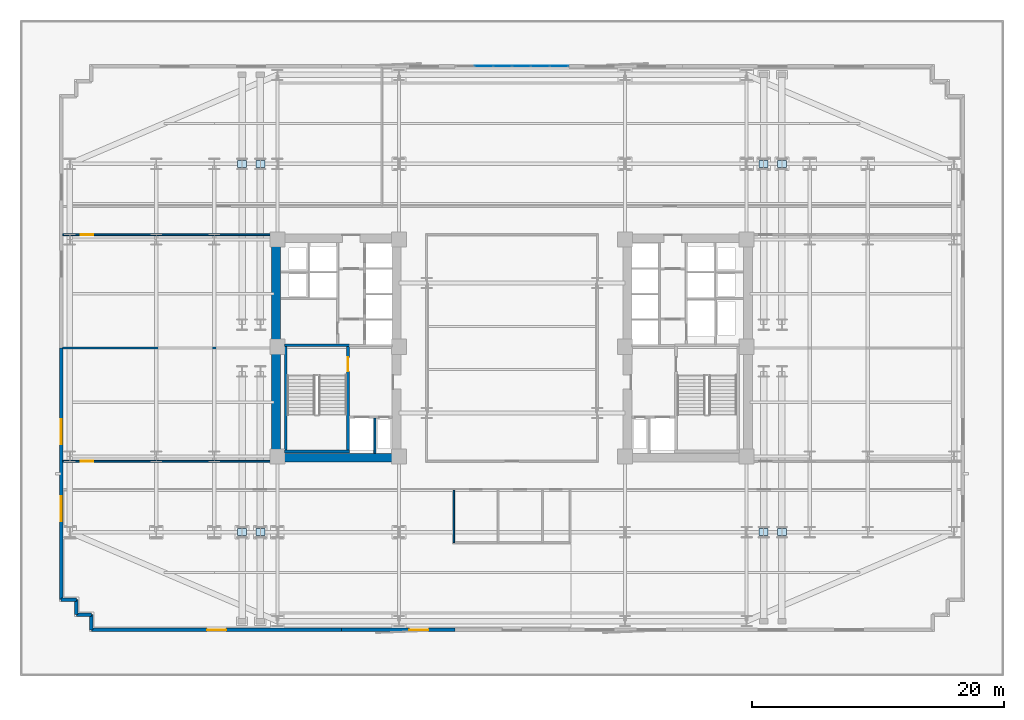
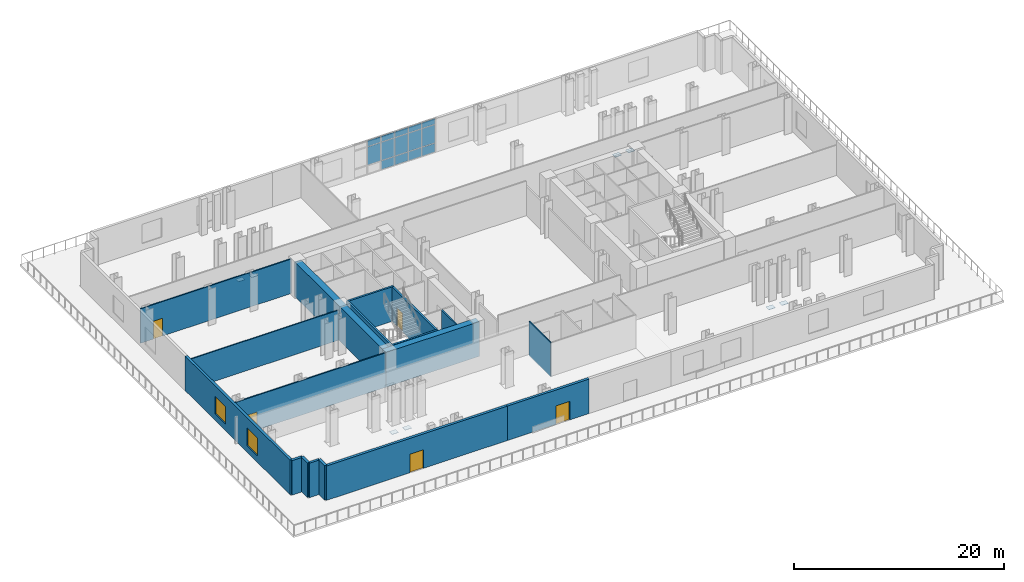
# One storey, part 5 of 14: 22 plates, 18 walls, 5 doors, 2 windows, 7 openings, 1 element without a shape of its own.
"""IFC4 building model written with IfcOpenShell, lengths in metres."""

import ifcopenshell
import ifcopenshell.guid

model = None  # the IFC model being written
_history = None  # IfcOwnerHistory: only IFC2X3 demands one
_inside = {}  # id of a spatial element -> (the spatial element, [elements in it])
_under = {}  # id of a project, library or spatial element -> (it, [spatial elements below it])
_declared = {}  # id of a project -> (the project, [libraries it declares])
_typed = {}  # id of a type object -> (the type object, [elements of that type])
_made_of = {}  # id of a material, layer set ... -> (it, [elements and type objects made of it])


def new_model(schema):
    """Start an empty IFC model of exactly this schema.

    Asked for "IFC4X3", IfcOpenShell would pick the latest addendum, in which some entities
    have other attributes; the version numbers below select the first issue.
    IFC2X3 requires an IfcOwnerHistory on every rooted entity: one is made here for all.
    """
    global model, _history
    if schema == "IFC4X3":
        model = ifcopenshell.file(schema_version=(4, 3, 0, 0))
    else:
        model = ifcopenshell.file(schema=schema)
    _inside.clear()
    _under.clear()
    _declared.clear()
    _typed.clear()
    _made_of.clear()
    _history = None
    if model.schema == "IFC2X3":
        org = make("IfcOrganization", Name="unknown")
        user = make(
            "IfcPersonAndOrganization",
            ThePerson=make("IfcPerson", FamilyName="unknown"),
            TheOrganization=org,
        )
        app = make(
            "IfcApplication",
            ApplicationDeveloper=org,
            Version="unknown",
            ApplicationFullName="unknown",
            ApplicationIdentifier="unknown",
        )
        _history = make(
            "IfcOwnerHistory",
            OwningUser=user,
            OwningApplication=app,
            ChangeAction="ADDED",
            CreationDate=0,
        )
    return model


def make(cls, **values):
    """One entity of the class cls with the attributes given. An attribute that is None is left unset."""
    return model.create_entity(
        cls, **{name: value for name, value in values.items() if value is not None}
    )


def rooted(cls, **values):
    """An entity with a GlobalId (a new one), such as an element, a storey or a relation."""
    return make(cls, GlobalId=ifcopenshell.guid.new(), OwnerHistory=_history, **values)


def si_unit(unit_type, name, prefix=None):
    """IfcSIUnit, for example si_unit("LENGTHUNIT", "METRE", prefix="MILLI")."""
    return make("IfcSIUnit", UnitType=unit_type, Prefix=prefix, Name=name)


def assignment(units):
    """IfcUnitAssignment: the units of a project."""
    return None if units is None else make("IfcUnitAssignment", Units=units)


def point(xyz):
    """IfcCartesianPoint."""
    return None if xyz is None else make("IfcCartesianPoint", Coordinates=xyz)


def direction(xyz):
    """IfcDirection."""
    return None if xyz is None else make("IfcDirection", DirectionRatios=xyz)


def frame(location, z_axis=None, x_axis=None):
    """IfcAxis2Placement3D, a coordinate frame: its origin and axes. An axis left out is left unset."""
    return make(
        "IfcAxis2Placement3D",
        Location=point(location),
        Axis=direction(z_axis),
        RefDirection=direction(x_axis),
    )


def frame_2d(location, x_axis=None):
    """IfcAxis2Placement2D, a coordinate frame in the plane: its origin and x axis."""
    return make(
        "IfcAxis2Placement2D", Location=point(location), RefDirection=direction(x_axis)
    )


def origin():
    """The frame at (0, 0, 0) with its axes left unset."""
    return frame((0.0, 0.0, 0.0))


def origin_2d():
    """The frame at (0, 0) in the plane with its x axis left unset."""
    return frame_2d((0.0, 0.0))


def place(relative_to, where):
    """IfcLocalPlacement: puts the frame where relative to a parent placement (None: the world)."""
    return make(
        "IfcLocalPlacement", PlacementRelTo=relative_to, RelativePlacement=where
    )


def context(
    kind, dimensions, precision=None, world=None, true_north=None, identifier=None
):
    """IfcGeometricRepresentationContext, for example the 3D "Model" context."""
    return make(
        "IfcGeometricRepresentationContext",
        ContextIdentifier=identifier,
        ContextType=kind,
        CoordinateSpaceDimension=dimensions,
        Precision=precision,
        WorldCoordinateSystem=world,
        TrueNorth=true_north,
    )


def subcontext(parent, identifier, kind, view, scale=None):
    """IfcGeometricRepresentationSubContext, for example "Body" below "Model"."""
    return make(
        "IfcGeometricRepresentationSubContext",
        ContextIdentifier=identifier,
        ContextType=kind,
        ParentContext=parent,
        TargetScale=scale,
        TargetView=view,
    )


def project(units=None, contexts=None):
    """IfcProject with its units and contexts."""
    return rooted(
        "IfcProject",
        Name="project",
        RepresentationContexts=contexts,
        UnitsInContext=assignment(units),
    )


def spatial(cls, under=None, at=None, **own):
    """A site, building, storey or space (cls), placed at a placement, below another one or the project."""
    s = rooted(cls, ObjectPlacement=at, **own)
    if under is not None:
        _under.setdefault(under.id(), (under, []))[1].append(s)
    return s


def profile(cls, at=None, kind="AREA", **sizes):
    """A parametric profile (cls). Its sizes go by their IFC names, for example OverallWidth=200.0."""
    return make(cls, ProfileType=kind, Position=at, **sizes)


def rectangle(**sizes):
    """IfcRectangleProfileDef."""
    return profile("IfcRectangleProfileDef", **sizes)


def extrude(swept, where, along, depth):
    """IfcExtrudedAreaSolid: the profile swept, set in the frame where, extruded along a direction by depth."""
    return make(
        "IfcExtrudedAreaSolid",
        SweptArea=swept,
        Position=where,
        ExtrudedDirection=direction(along),
        Depth=depth,
    )


def shape(context_of_items, identifier, shape_type, items):
    """IfcShapeRepresentation: the items that make up one representation, for example the "Body"."""
    return make(
        "IfcShapeRepresentation",
        ContextOfItems=context_of_items,
        RepresentationIdentifier=identifier,
        RepresentationType=shape_type,
        Items=items,
    )


def material(Name=None, Category=None):
    """IfcMaterial."""
    return make("IfcMaterial", Name=Name, Category=Category)


def layer(
    of_material, thickness, ventilated=None, Name=None, Category=None, Priority=None
):
    """IfcMaterialLayer: one layer of a wall or slab, of a material (None: an air gap)."""
    return make(
        "IfcMaterialLayer",
        Material=of_material,
        LayerThickness=thickness,
        IsVentilated=ventilated,
        Name=Name,
        Category=Category,
        Priority=Priority,
    )


def layer_set(layers, Name=None):
    """IfcMaterialLayerSet."""
    return make("IfcMaterialLayerSet", MaterialLayers=layers, LayerSetName=Name)


def made_of(thing, what):
    """Note that an element or type object is made of a material, layer set ...; save() writes the relation."""
    if what is not None:
        _made_of.setdefault(what.id(), (what, []))[1].append(thing)
    return thing


def type_object(cls, material=None, **own):
    """A type object (cls), such as IfcWallType, which elements share."""
    return made_of(rooted(cls, **own), material)


def element(
    cls,
    number,
    at=None,
    inside=None,
    cuts=None,
    type_object=None,
    material=None,
    context=None,
    identifier="Body",
    shape_type=None,
    held_by="IfcProductDefinitionShape",
    body=None,
    shapes=None,
    **own,
):
    """One element of the class cls, such as IfcWall. Its Tag is "e" and its number.

    at: its placement. inside: the storey or other place that contains it. cuts: it is an
    opening in that element (IfcRelVoidsElement). A single representation is given by context,
    identifier, shape_type and body (its items); several are given by shapes. held_by: the class
    of the entity that holds the representations. save() writes the other relations.
    """
    e = rooted(cls, Tag="e%d" % number, ObjectPlacement=at, **own)
    if body is not None:
        shapes = [shape(context, identifier, shape_type, body)]
    if shapes is not None:
        e.Representation = make(held_by, Representations=shapes)
    if inside is not None:
        _inside.setdefault(inside.id(), (inside, []))[1].append(e)
    if cuts is not None:
        rooted(
            "IfcRelVoidsElement", RelatingBuildingElement=cuts, RelatedOpeningElement=e
        )
    if type_object is not None:
        _typed.setdefault(type_object.id(), (type_object, []))[1].append(e)
    return made_of(e, material)


def fill(opening, filler):
    """IfcRelFillsElement: the door or window that sits in an opening."""
    return rooted(
        "IfcRelFillsElement",
        RelatingOpeningElement=opening,
        RelatedBuildingElement=filler,
    )


def aggregate(whole, parts):
    """IfcRelAggregates: a whole, such as a stair, and the parts it consists of."""
    return rooted("IfcRelAggregates", RelatingObject=whole, RelatedObjects=parts)


def save(model, path):
    """Write the relations noted so far, then the file.

    IfcRelAggregates (storeys below a building ...), IfcRelContainedInSpatialStructure (elements
    in a storey), IfcRelDefinesByType, IfcRelAssociatesMaterial and IfcRelDeclares: one each for
    every whole, place, type object, material and project.
    """
    for whole, parts in _under.values():
        aggregate(whole, parts)
    for where, things in _inside.values():
        rooted(
            "IfcRelContainedInSpatialStructure",
            RelatedElements=things,
            RelatingStructure=where,
        )
    for kind, things in _typed.values():
        rooted("IfcRelDefinesByType", RelatedObjects=things, RelatingType=kind)
    for what, things in _made_of.values():
        rooted("IfcRelAssociatesMaterial", RelatedObjects=things, RelatingMaterial=what)
    for by, libraries in _declared.values():
        rooted("IfcRelDeclares", RelatingContext=by, RelatedDefinitions=libraries)
    model.write(path)


model = new_model("IFC4")

# Units and contexts
model_context = context("Model", 3, precision=1e-05, world=origin(), true_north=direction((0.0, 1.0)))
body_context = subcontext(model_context, "Body", "Model", "MODEL_VIEW")
ifc_project = project(units=[si_unit("LENGTHUNIT", "METRE"), si_unit("AREAUNIT", "SQUARE_METRE"), si_unit("VOLUMEUNIT", "CUBIC_METRE"), si_unit("PLANEANGLEUNIT", "RADIAN"), si_unit("MASSUNIT", "GRAM", prefix="KILO")], contexts=[model_context])

# Site, building, storey
site_placement = place(None, origin())
site = spatial("IfcSite", under=ifc_project, at=site_placement, CompositionType="ELEMENT")
building_placement = place(site_placement, origin())
building = spatial("IfcBuilding", under=site, at=building_placement, Name="Velakula Bourse", CompositionType="ELEMENT")
storey_placement = place(building_placement, frame((0.0, 0.0, 27.0)))
storey = spatial("IfcBuildingStorey", under=building, at=storey_placement, Name="L06", CompositionType="ELEMENT", Elevation=27.0)

# Plates
ifc_material_1 = material(Name="Steel IS 2062 Grade 350 (E350)", Category="steel")
ifc_layer_1 = layer(ifc_material_1, 0.0400390625, Name="Steel IS 2062 Grade 350 (E350)", Category="steel")
ifc_layer_set_1 = layer_set([ifc_layer_1], Name="Steel IS 2062 Grade 350 (E350)")
plate_type_1 = type_object("IfcPlateType", Name="PLT-NODE-TRF", PredefinedType="USERDEFINED", material=ifc_layer_set_1)
for number, where, z_axis, x_axis, name in (
    (1, (-21.39990234375, -14.60009765625, -1.050048828125), (0.0, 0.0, 1.0), (0.0, 1.0, 0.0), "L06 Cantilever Fulcrum Node Gusset Plate P01"),
    (2, (-19.949951171875, -14.60009765625, -1.050048828125), (0.0, 0.0, 1.0), (0.0, 1.0, 0.0), "L06 Cantilever Fulcrum Node Gusset Plate P02"),
    (3, (19.949951171875, -14.60009765625, -1.050048828125), (0.0, 0.0, 1.0), (0.0, 1.0, 0.0), "L06 Cantilever Fulcrum Node Gusset Plate P03"),
    (4, (21.39990234375, -14.60009765625, -1.050048828125), (0.0, 0.0, 1.0), (0.0, 1.0, 0.0), "L06 Cantilever Fulcrum Node Gusset Plate P04"),
    (5, (-21.39990234375, 14.60009765625, -1.050048828125), (0.0, 0.0, 1.0), (0.0, 1.0, 0.0), "L06 Cantilever Fulcrum Node Gusset Plate P05"),
    (6, (-19.949951171875, 14.60009765625, -1.050048828125), (0.0, 0.0, 1.0), (0.0, 1.0, 0.0), "L06 Cantilever Fulcrum Node Gusset Plate P06"),
    (7, (19.949951171875, 14.60009765625, -1.050048828125), (0.0, 0.0, 1.0), (0.0, 1.0, 0.0), "L06 Cantilever Fulcrum Node Gusset Plate P07"),
    (8, (21.39990234375, 14.60009765625, -1.050048828125), (0.0, 0.0, 1.0), (0.0, 1.0, 0.0), "L06 Cantilever Fulcrum Node Gusset Plate P08"),
):
    element("IfcPlate", number, at=place(storey_placement, frame(where, z_axis=z_axis, x_axis=x_axis)), inside=storey, type_object=plate_type_1, Name=name, ObjectType="GUSSET PLATE", PredefinedType="USERDEFINED", context=body_context, shape_type="SweptSolid", body=[
        extrude(rectangle(XDim=0.56005859375, YDim=0.719970703125, at=origin_2d()), origin(), (0.0, 0.0, 1.0), 0.0400390625),
    ])

# Curtain wall, plates
ifc_material_2 = material(Name="Anodised bronze architectural aluminium", Category="aluminium")
ifc_layer_2 = layer(ifc_material_2, 0.1650390625, Name="Anodised bronze architectural aluminium", Category="aluminium")
ifc_layer_set_2 = layer_set([ifc_layer_2], Name="Anodised bronze architectural aluminium")
curtain_wall_type = type_object("IfcCurtainWallType", Name="CW-SL1", PredefinedType="NOTDEFINED", material=ifc_layer_set_2)
curtain_wall_placement = place(storey_placement, origin())
curtain_wall = element("IfcCurtainWall", 9, at=curtain_wall_placement, inside=storey, type_object=curtain_wall_type, Name="L06 Sky-Lobby Feature Curtain Wall", PredefinedType="NOTDEFINED")
ifc_material_3 = material(Name="Double-glazed solar-control Low-E glass", Category="glass")
ifc_layer_3 = layer(ifc_material_3, 0.02490234375, Name="Double-glazed solar-control Low-E glass", Category="glass")
ifc_layer_set_3 = layer_set([ifc_layer_3], Name="Double-glazed solar-control Low-E glass")
plate_type_2 = type_object("IfcPlateType", Name="PNL-CW-SL1", PredefinedType="CURTAIN_PANEL", material=ifc_layer_set_3)
plate_1_placement = place(storey_placement, frame((-2.25, 22.340087890625, 1.1298828125), z_axis=(0.0, 0.0, 1.0), x_axis=(1.0, 0.0, 0.0)))
plate_1 = element("IfcPlate", 10, at=plate_1_placement, type_object=plate_type_2, Name="CW-SL1 panel 2.2", PredefinedType="CURTAIN_PANEL", context=body_context, shape_type="SweptSolid", body=[
    extrude(rectangle(XDim=1.43994140625, YDim=0.028076171875, at=origin_2d()), origin(), (0.0, 0.0, 1.0), 2.090087890625),
])
plate_2_placement = place(storey_placement, frame((-2.25, 22.340087890625, 3.2802734375), z_axis=(0.0, 0.0, 1.0), x_axis=(1.0, 0.0, 0.0)))
plate_2 = element("IfcPlate", 11, at=plate_2_placement, type_object=plate_type_2, Name="CW-SL1 panel 2.3", PredefinedType="CURTAIN_PANEL", context=body_context, shape_type="SweptSolid", body=[
    extrude(rectangle(XDim=1.43994140625, YDim=0.028076171875, at=origin_2d()), origin(), (0.0, 0.0, 1.0), 0.659912109375),
])
plate_3_placement = place(storey_placement, frame((-0.75, 22.340087890625, 0.06005859375), z_axis=(0.0, 0.0, 1.0), x_axis=(1.0, 0.0, 0.0)))
plate_3 = element("IfcPlate", 12, at=plate_3_placement, type_object=plate_type_2, Name="CW-SL1 panel 3.1", PredefinedType="CURTAIN_PANEL", context=body_context, shape_type="SweptSolid", body=[
    extrude(rectangle(XDim=1.43994140625, YDim=0.028076171875, at=origin_2d()), origin(), (0.0, 0.0, 1.0), 1.010009765625),
])
plate_4_placement = place(storey_placement, frame((-0.75, 22.340087890625, 1.1298828125), z_axis=(0.0, 0.0, 1.0), x_axis=(1.0, 0.0, 0.0)))
plate_4 = element("IfcPlate", 13, at=plate_4_placement, type_object=plate_type_2, Name="CW-SL1 panel 3.2", PredefinedType="CURTAIN_PANEL", context=body_context, shape_type="SweptSolid", body=[
    extrude(rectangle(XDim=1.43994140625, YDim=0.028076171875, at=origin_2d()), origin(), (0.0, 0.0, 1.0), 2.090087890625),
])
plate_5_placement = place(storey_placement, frame((-0.75, 22.340087890625, 3.2802734375), z_axis=(0.0, 0.0, 1.0), x_axis=(1.0, 0.0, 0.0)))
plate_5 = element("IfcPlate", 14, at=plate_5_placement, type_object=plate_type_2, Name="CW-SL1 panel 3.3", PredefinedType="CURTAIN_PANEL", context=body_context, shape_type="SweptSolid", body=[
    extrude(rectangle(XDim=1.43994140625, YDim=0.028076171875, at=origin_2d()), origin(), (0.0, 0.0, 1.0), 0.659912109375),
])
plate_6_placement = place(storey_placement, frame((0.75, 22.340087890625, 0.06005859375), z_axis=(0.0, 0.0, 1.0), x_axis=(1.0, 0.0, 0.0)))
plate_6 = element("IfcPlate", 15, at=plate_6_placement, type_object=plate_type_2, Name="CW-SL1 panel 4.1", PredefinedType="CURTAIN_PANEL", context=body_context, shape_type="SweptSolid", body=[
    extrude(rectangle(XDim=1.43994140625, YDim=0.028076171875, at=origin_2d()), origin(), (0.0, 0.0, 1.0), 1.010009765625),
])
plate_7_placement = place(storey_placement, frame((0.75, 22.340087890625, 1.1298828125), z_axis=(0.0, 0.0, 1.0), x_axis=(1.0, 0.0, 0.0)))
plate_7 = element("IfcPlate", 16, at=plate_7_placement, type_object=plate_type_2, Name="CW-SL1 panel 4.2", PredefinedType="CURTAIN_PANEL", context=body_context, shape_type="SweptSolid", body=[
    extrude(rectangle(XDim=1.43994140625, YDim=0.028076171875, at=origin_2d()), origin(), (0.0, 0.0, 1.0), 2.090087890625),
])
plate_8_placement = place(storey_placement, frame((0.75, 22.340087890625, 3.2802734375), z_axis=(0.0, 0.0, 1.0), x_axis=(1.0, 0.0, 0.0)))
plate_8 = element("IfcPlate", 17, at=plate_8_placement, type_object=plate_type_2, Name="CW-SL1 panel 4.3", PredefinedType="CURTAIN_PANEL", context=body_context, shape_type="SweptSolid", body=[
    extrude(rectangle(XDim=1.43994140625, YDim=0.028076171875, at=origin_2d()), origin(), (0.0, 0.0, 1.0), 0.659912109375),
])
plate_9_placement = place(storey_placement, frame((2.25, 22.340087890625, 0.06005859375), z_axis=(0.0, 0.0, 1.0), x_axis=(1.0, 0.0, 0.0)))
plate_9 = element("IfcPlate", 18, at=plate_9_placement, type_object=plate_type_2, Name="CW-SL1 panel 5.1", PredefinedType="CURTAIN_PANEL", context=body_context, shape_type="SweptSolid", body=[
    extrude(rectangle(XDim=1.43994140625, YDim=0.028076171875, at=origin_2d()), origin(), (0.0, 0.0, 1.0), 1.010009765625),
])
plate_10_placement = place(storey_placement, frame((2.25, 22.340087890625, 1.1298828125), z_axis=(0.0, 0.0, 1.0), x_axis=(1.0, 0.0, 0.0)))
plate_10 = element("IfcPlate", 19, at=plate_10_placement, type_object=plate_type_2, Name="CW-SL1 panel 5.2", PredefinedType="CURTAIN_PANEL", context=body_context, shape_type="SweptSolid", body=[
    extrude(rectangle(XDim=1.43994140625, YDim=0.028076171875, at=origin_2d()), origin(), (0.0, 0.0, 1.0), 2.090087890625),
])
plate_11_placement = place(storey_placement, frame((2.25, 22.340087890625, 3.2802734375), z_axis=(0.0, 0.0, 1.0), x_axis=(1.0, 0.0, 0.0)))
plate_11 = element("IfcPlate", 20, at=plate_11_placement, type_object=plate_type_2, Name="CW-SL1 panel 5.3", PredefinedType="CURTAIN_PANEL", context=body_context, shape_type="SweptSolid", body=[
    extrude(rectangle(XDim=1.43994140625, YDim=0.028076171875, at=origin_2d()), origin(), (0.0, 0.0, 1.0), 0.659912109375),
])
plate_12_placement = place(storey_placement, frame((3.735107421875, 22.340087890625, 0.06005859375), z_axis=(0.0, 0.0, 1.0), x_axis=(1.0, 0.0, 0.0)))
plate_12 = element("IfcPlate", 21, at=plate_12_placement, type_object=plate_type_2, Name="CW-SL1 panel 6.1", PredefinedType="CURTAIN_PANEL", context=body_context, shape_type="SweptSolid", body=[
    extrude(rectangle(XDim=1.409912109375, YDim=0.028076171875, at=origin_2d()), origin(), (0.0, 0.0, 1.0), 1.010009765625),
])
plate_13_placement = place(storey_placement, frame((3.735107421875, 22.340087890625, 1.1298828125), z_axis=(0.0, 0.0, 1.0), x_axis=(1.0, 0.0, 0.0)))
plate_13 = element("IfcPlate", 22, at=plate_13_placement, type_object=plate_type_2, Name="CW-SL1 panel 6.2", PredefinedType="CURTAIN_PANEL", context=body_context, shape_type="SweptSolid", body=[
    extrude(rectangle(XDim=1.409912109375, YDim=0.028076171875, at=origin_2d()), origin(), (0.0, 0.0, 1.0), 2.090087890625),
])
plate_14_placement = place(storey_placement, frame((3.735107421875, 22.340087890625, 3.2802734375), z_axis=(0.0, 0.0, 1.0), x_axis=(1.0, 0.0, 0.0)))
plate_14 = element("IfcPlate", 23, at=plate_14_placement, type_object=plate_type_2, Name="CW-SL1 panel 6.3", PredefinedType="CURTAIN_PANEL", context=body_context, shape_type="SweptSolid", body=[
    extrude(rectangle(XDim=1.409912109375, YDim=0.028076171875, at=origin_2d()), origin(), (0.0, 0.0, 1.0), 0.659912109375),
])
aggregate(curtain_wall, [plate_1, plate_2, plate_3, plate_4, plate_5, plate_6, plate_7, plate_8, plate_9, plate_10, plate_11, plate_12, plate_13, plate_14])

# Wall, opening, door
ifc_material_4 = material(Name="Concrete M50 (fck 50 MPa)", Category="concrete")
ifc_layer_4 = layer(ifc_material_4, 0.2099609375, Name="Concrete M50 (fck 50 MPa)", Category="concrete")
ifc_layer_set_4 = layer_set([ifc_layer_4], Name="Concrete M50 (fck 50 MPa)")
wall_type_1 = type_object("IfcWallType", Name="WL-CORE-210", PredefinedType="SHEAR", material=ifc_layer_set_4)
wall_1_placement = place(storey_placement, frame((-12.9951171875, -8.10009765625, 0.0), z_axis=(0.0, 0.0, 1.0), x_axis=(0.0, 1.0, 0.0)))
wall_1 = element("IfcWall", 24, at=wall_1_placement, inside=storey, type_object=wall_type_1, Name="L06 Core W Stairwell Shear Wall IN", PredefinedType="SHEAR", context=body_context, shape_type="SweptSolid", body=[
    extrude(rectangle(XDim=8.2001953125, YDim=0.2099609375, at=frame_2d((4.10009765625, 0.0))), origin(), (0.0, 0.0, 1.0), 4.02001953125),
])
opening_1_placement = place(wall_1_placement, frame((6.25, 0.0, 0.0)))
opening_1 = element("IfcOpeningElement", 25, at=opening_1_placement, cuts=wall_1, Name="Opening D-STW1", PredefinedType="OPENING", context=body_context, shape_type="SweptSolid", body=[
    extrude(rectangle(XDim=1.10009765625, YDim=2.14990234375, at=frame_2d((0.550048828125, 1.074951171875))), frame((0.0, 0.114990234375, 0.0), z_axis=(0.0, -1.0, 0.0), x_axis=(1.0, 0.0, 0.0)), (0.0, 0.0, 1.0), 0.22998046875),
])
ifc_material_5 = material(Name="Galvanised painted hollow steel fire door", Category="steel")
door_type_1 = type_object("IfcDoorType", Name="DR-FD120-1100x2150", OperationType="NOTDEFINED", PredefinedType="DOOR", material=ifc_material_5)
door_1_placement = place(opening_1_placement, origin())
door_1 = element("IfcDoor", 26, at=door_1_placement, inside=storey, type_object=door_type_1, Name="L06 Stair ST-W1 Fire Door", OperationType="SINGLE_SWING_LEFT", OverallHeight=2.14990234375, OverallWidth=1.10009765625, PredefinedType="DOOR", context=body_context, shape_type="SweptSolid", body=[
    extrude(rectangle(XDim=1.10009765625, YDim=2.14990234375, at=frame_2d((0.550048828125, 1.074951171875))), frame((0.0, 0.02490234375, 0.0), z_axis=(0.0, -1.0, 0.0), x_axis=(1.0, 0.0, 0.0)), (0.0, 0.0, 1.0), 0.050048828125),
])
fill(opening_1, door_1)

# Walls
wall_2_placement = place(storey_placement, frame((-17.925048828125, -8.10009765625, 0.0), z_axis=(0.0, 0.0, 1.0), x_axis=(0.0, 1.0, 0.0)))
element("IfcWall", 27, at=wall_2_placement, inside=storey, type_object=wall_type_1, Name="L06 Core W Stairwell Shear Wall OUT", PredefinedType="SHEAR", context=body_context, shape_type="SweptSolid", body=[
    extrude(rectangle(XDim=8.2001953125, YDim=0.2099609375, at=frame_2d((4.10009765625, 0.0))), origin(), (0.0, 0.0, 1.0), 4.02001953125),
])
for number, where, z_axis, x_axis, name in (
    (28, (-18.030029296875, -8.205078125, 0.0), (0.0, 0.0, 1.0), (1.0, 0.0, 0.0), "L06 Core W Stairwell Shear Wall S"),
    (29, (-12.889892578125, 0.205078125, 0.0), (0.0, 0.0, 1.0), (-1.0, 0.0, 0.0), "L06 Core W Stairwell Shear Wall N"),
):
    element("IfcWall", number, at=place(storey_placement, frame(where, z_axis=z_axis, x_axis=x_axis)), inside=storey, type_object=wall_type_1, Name=name, PredefinedType="SHEAR", context=body_context, shape_type="SweptSolid", body=[
        extrude(rectangle(XDim=5.14013671875, YDim=0.2099609375, at=frame_2d((2.570068359375, 0.0))), origin(), (0.0, 0.0, 1.0), 4.02001953125),
    ])
ifc_material_6 = material(Name="Concrete M70 (fck 70 MPa)", Category="concrete")
ifc_layer_5 = layer(ifc_material_6, 0.699951171875, Name="Concrete M70 (fck 70 MPa)", Category="concrete")
ifc_layer_set_5 = layer_set([ifc_layer_5], Name="Concrete M70 (fck 70 MPa)")
wall_type_2 = type_object("IfcWallType", Name="WL-CORE-700", PredefinedType="SHEAR", material=ifc_layer_set_5)
wall_3_placement = place(storey_placement, frame((-19.050048828125, -8.699951171875, 0.0), z_axis=(0.0, 0.0, 1.0), x_axis=(1.0, 0.0, 0.0)))
element("IfcWall", 30, at=wall_3_placement, inside=storey, type_object=wall_type_2, Name="L06 Core W Shear Wall S", PredefinedType="SHEAR", context=body_context, shape_type="SweptSolid", body=[
    extrude(rectangle(XDim=10.25, YDim=0.699951171875, at=frame_2d((5.125, 0.0))), origin(), (0.0, 0.0, 1.0), 4.02001953125),
])
wall_4_placement = place(storey_placement, frame((-18.699951171875, -8.35009765625, 0.0), z_axis=(0.0, 0.0, 1.0), x_axis=(0.0, 1.0, 0.0)))
element("IfcWall", 31, at=wall_4_placement, inside=storey, type_object=wall_type_2, Name="L06 Core W Shear Wall W", PredefinedType="SHEAR", context=body_context, shape_type="SweptSolid", body=[
    extrude(rectangle(XDim=16.7001953125, YDim=0.699951171875, at=frame_2d((8.35009765625, 0.0))), origin(), (0.0, 0.0, 1.0), 4.02001953125),
])

# Wall, opening, door
ifc_material_7 = material(Name="Red kilned clay facing brick masonry", Category="masonry")
ifc_layer_6 = layer(ifc_material_7, 0.280029296875, Name="Red kilned clay facing brick masonry", Category="masonry")
ifc_layer_set_6 = layer_set([ifc_layer_6], Name="Red kilned clay facing brick masonry")
wall_type_3 = type_object("IfcWallType", Name="WL-EXT-BRK-280", PredefinedType="STANDARD", material=ifc_layer_set_6)
wall_5_placement = place(storey_placement, frame((-13.5, -22.340087890625, 0.0), z_axis=(0.0, 0.0, 1.0), x_axis=(-1.0, 0.0, 0.0)))
wall_5 = element("IfcWall", 32, at=wall_5_placement, inside=storey, type_object=wall_type_3, Name="L06 S Brick Spandrel Wall B1", PredefinedType="STANDARD", context=body_context, shape_type="SweptSolid", body=[
    extrude(rectangle(XDim=19.840087890625, YDim=0.280029296875, at=frame_2d((9.919921875, 0.0))), origin(), (0.0, 0.0, 1.0), 4.0),
])
opening_2_placement = place(wall_5_placement, frame((9.169921875, 0.0, 0.0)))
opening_2 = element("IfcOpeningElement", 33, at=opening_2_placement, cuts=wall_5, Name="Opening D-TR1", PredefinedType="OPENING", context=body_context, shape_type="SweptSolid", body=[
    extrude(rectangle(XDim=1.5, YDim=2.14990234375, at=frame_2d((0.75, 1.074951171875))), frame((0.0, 0.14990234375, 0.0), z_axis=(0.0, -1.0, 0.0), x_axis=(1.0, 0.0, 0.0)), (0.0, 0.0, 1.0), 0.300048828125),
])
door_type_2 = type_object("IfcDoorType", Name="DR-EXT-TERR-1500", OperationType="DOUBLE_DOOR_SINGLE_SWING", PredefinedType="DOOR", material=ifc_material_2)
door_2_placement = place(opening_2_placement, origin())
door_2 = element("IfcDoor", 34, at=door_2_placement, inside=storey, type_object=door_type_2, Name="L06 Sky-Garden Terrace Access Door 1", OperationType="DOUBLE_DOOR_SINGLE_SWING", OverallHeight=2.14990234375, OverallWidth=1.5, PredefinedType="DOOR", context=body_context, shape_type="SweptSolid", body=[
    extrude(rectangle(XDim=1.5, YDim=2.14990234375, at=frame_2d((0.75, 1.074951171875))), frame((0.0, 0.02490234375, 0.0), z_axis=(0.0, -1.0, 0.0), x_axis=(1.0, 0.0, 0.0)), (0.0, 0.0, 1.0), 0.050048828125),
])
fill(opening_2, door_2)

wall_6_placement = place(storey_placement, frame((-4.5, -22.340087890625, 0.0), z_axis=(0.0, 0.0, 1.0), x_axis=(-1.0, 0.0, 0.0)))
wall_6 = element("IfcWall", 35, at=wall_6_placement, inside=storey, type_object=wall_type_3, Name="L06 S Brick Spandrel Wall B2", PredefinedType="STANDARD", context=body_context, shape_type="SweptSolid", body=[
    extrude(rectangle(XDim=9.0, YDim=0.280029296875, at=frame_2d((4.5, 0.0))), origin(), (0.0, 0.0, 1.0), 4.0),
])
opening_3_placement = place(wall_6_placement, frame((2.1298828125, 0.0, 0.0)))
opening_3 = element("IfcOpeningElement", 36, at=opening_3_placement, cuts=wall_6, Name="Opening D-TR1", PredefinedType="OPENING", context=body_context, shape_type="SweptSolid", body=[
    extrude(rectangle(XDim=1.5, YDim=2.14990234375, at=frame_2d((0.75, 1.074951171875))), frame((0.0, 0.14990234375, 0.0), z_axis=(0.0, -1.0, 0.0), x_axis=(1.0, 0.0, 0.0)), (0.0, 0.0, 1.0), 0.300048828125),
])
door_3_placement = place(opening_3_placement, origin())
door_3 = element("IfcDoor", 37, at=door_3_placement, inside=storey, type_object=door_type_2, Name="L06 Sky-Garden Terrace Access Door 2", OperationType="DOUBLE_DOOR_SINGLE_SWING", OverallHeight=2.14990234375, OverallWidth=1.5, PredefinedType="DOOR", context=body_context, shape_type="SweptSolid", body=[
    extrude(rectangle(XDim=1.5, YDim=2.14990234375, at=frame_2d((0.75, 1.074951171875))), frame((0.0, 0.02490234375, 0.0), z_axis=(0.0, -1.0, 0.0), x_axis=(1.0, 0.0, 0.0)), (0.0, 0.0, 1.0), 0.050048828125),
])
fill(opening_3, door_3)

# Wall, openings, windows
wall_7_placement = place(storey_placement, frame((-35.739990234375, -19.93994140625, 0.0), z_axis=(0.0, 0.0, 1.0), x_axis=(0.0, 1.0, 0.0)))
wall_7 = element("IfcWall", 38, at=wall_7_placement, inside=storey, type_object=wall_type_3, Name="L06 W Brick End Wall W1", PredefinedType="STANDARD", context=body_context, shape_type="SweptSolid", body=[
    extrude(rectangle(XDim=19.93994140625, YDim=0.280029296875, at=frame_2d((9.969970703125, 0.0))), origin(), (0.0, 0.0, 1.0), 4.0),
])
opening_4_placement = place(wall_7_placement, frame((6.19677734375, 0.0, 0.760009765625)))
opening_4 = element("IfcOpeningElement", 39, at=opening_4_placement, cuts=wall_7, Name="Opening W-05", PredefinedType="OPENING", context=body_context, shape_type="SweptSolid", body=[
    extrude(rectangle(XDim=2.0, YDim=2.050048828125, at=frame_2d((1.0, 1.02490234375))), frame((0.0, 0.14990234375, 0.0), z_axis=(0.0, -1.0, 0.0), x_axis=(1.0, 0.0, 0.0)), (0.0, 0.0, 1.0), 0.300048828125),
])
opening_5_placement = place(wall_7_placement, frame((12.293212890625, 0.0, 0.760009765625)))
opening_5 = element("IfcOpeningElement", 40, at=opening_5_placement, cuts=wall_7, Name="Opening W-05", PredefinedType="OPENING", context=body_context, shape_type="SweptSolid", body=[
    extrude(rectangle(XDim=2.0, YDim=2.050048828125, at=frame_2d((1.0, 1.02490234375))), frame((0.0, 0.14990234375, 0.0), z_axis=(0.0, -1.0, 0.0), x_axis=(1.0, 0.0, 0.0)), (0.0, 0.0, 1.0), 0.300048828125),
])
window_type = type_object("IfcWindowType", Name="WIN-TWR-2000x2200", PartitioningType="DOUBLE_PANEL_VERTICAL", PredefinedType="WINDOW", material=ifc_material_3)
window_1_placement = place(opening_4_placement, origin())
window_1 = element("IfcWindow", 41, at=window_1_placement, inside=storey, type_object=window_type, Name="L06 Deep-Set Recessed Window 1", OverallHeight=2.050048828125, OverallWidth=2.0, PartitioningType="DOUBLE_PANEL_VERTICAL", PredefinedType="WINDOW", context=body_context, shape_type="SweptSolid", body=[
    extrude(rectangle(XDim=2.0, YDim=2.050048828125, at=frame_2d((1.0, 1.02490234375))), frame((0.0, 0.030029296875, 0.0), z_axis=(0.0, -1.0, 0.0), x_axis=(1.0, 0.0, 0.0)), (0.0, 0.0, 1.0), 0.06005859375),
])
fill(opening_4, window_1)
window_2_placement = place(opening_5_placement, origin())
window_2 = element("IfcWindow", 42, at=window_2_placement, inside=storey, type_object=window_type, Name="L06 Deep-Set Recessed Window 2", OverallHeight=2.050048828125, OverallWidth=2.0, PartitioningType="DOUBLE_PANEL_VERTICAL", PredefinedType="WINDOW", context=body_context, shape_type="SweptSolid", body=[
    extrude(rectangle(XDim=2.0, YDim=2.050048828125, at=frame_2d((1.0, 1.02490234375))), frame((0.0, 0.030029296875, 0.0), z_axis=(0.0, -1.0, 0.0), x_axis=(1.0, 0.0, 0.0)), (0.0, 0.0, 1.0), 0.06005859375),
])
fill(opening_5, window_2)

# Walls
for number, where, z_axis, x_axis, name in (
    (43, (-35.739990234375, -19.93994140625, 0.0), (0.0, 0.0, 1.0), (1.0, 0.0, 0.0), "L06 Serrated Corner Brick Wall SW-1"),
    (44, (-34.5400390625, -19.93994140625, 0.0), (0.0, 0.0, 1.0), (0.0, -1.0, 0.0), "L06 Serrated Corner Brick Wall SW-2"),
    (45, (-34.5400390625, -21.139892578125, 0.0), (0.0, 0.0, 1.0), (1.0, 0.0, 0.0), "L06 Serrated Corner Brick Wall SW-3"),
):
    element("IfcWall", number, at=place(storey_placement, frame(where, z_axis=z_axis, x_axis=x_axis)), inside=storey, type_object=wall_type_3, Name=name, PredefinedType="STANDARD", context=body_context, shape_type="SweptSolid", body=[
        extrude(rectangle(XDim=1.199951171875, YDim=0.280029296875, at=frame_2d((0.60009765625, 0.0))), origin(), (0.0, 0.0, 1.0), 4.0),
    ])
wall_8_placement = place(storey_placement, frame((-33.340087890625, -21.139892578125, 0.0), z_axis=(0.0, 0.0, 1.0), x_axis=(0.0, -1.0, 0.0)))
element("IfcWall", 46, at=wall_8_placement, inside=storey, type_object=wall_type_3, Name="L06 Serrated Corner Brick Wall SW-4", PredefinedType="STANDARD", context=body_context, shape_type="SweptSolid", body=[
    extrude(rectangle(XDim=1.2001953125, YDim=0.280029296875, at=frame_2d((0.60009765625, 0.0))), origin(), (0.0, 0.0, 1.0), 4.0),
])
ifc_material_8 = material(Name="Fire-rated double-layer gypsum drywall partition", Category="gypsum")
ifc_layer_7 = layer(ifc_material_8, 0.1201171875, Name="Fire-rated double-layer gypsum drywall partition", Category="gypsum")
ifc_layer_set_7 = layer_set([ifc_layer_7], Name="Fire-rated double-layer gypsum drywall partition")
wall_type_4 = type_object("IfcWallType", Name="WL-PART-120", PredefinedType="STANDARD", material=ifc_layer_set_7)
wall_9_placement = place(storey_placement, frame((-4.60009765625, -15.419921875, 0.0), z_axis=(0.0, 0.0, 1.0), x_axis=(0.0, 1.0, 0.0)))
element("IfcWall", 47, at=wall_9_placement, inside=storey, type_object=wall_type_4, Name="L06 Interior Partition WL-WC-L06-V1", PredefinedType="STANDARD", context=body_context, shape_type="SweptSolid", body=[
    extrude(rectangle(XDim=4.1298828125, YDim=0.1201171875, at=frame_2d((2.06494140625, 0.0))), origin(), (0.0, 0.0, 1.0), 4.0),
])
wall_10_placement = place(storey_placement, frame((-35.6201171875, 0.0, 0.0), z_axis=(0.0, 0.0, 1.0), x_axis=(1.0, 0.0, 0.0)))
element("IfcWall", 48, at=wall_10_placement, inside=storey, type_object=wall_type_4, Name="L06 Interior Partition WL-INT-L06-W-H", PredefinedType="STANDARD", context=body_context, shape_type="SweptSolid", body=[
    extrude(rectangle(XDim=16.570068359375, YDim=0.1201171875, at=frame_2d((8.28515625, 0.0))), origin(), (0.0, 0.0, 1.0), 3.4951171875),
])

# Wall, opening, door
ifc_layer_8 = layer(ifc_material_8, 0.139892578125, Name="Fire-rated double-layer gypsum drywall partition", Category="gypsum")
ifc_layer_set_8 = layer_set([ifc_layer_8], Name="Fire-rated double-layer gypsum drywall partition")
wall_type_5 = type_object("IfcWallType", Name="WL-PART-140", PredefinedType="STANDARD", material=ifc_layer_set_8)
wall_11_placement = place(storey_placement, frame((-35.6201171875, 8.97998046875, 0.0), z_axis=(0.0, 0.0, 1.0), x_axis=(1.0, 0.0, 0.0)))
wall_11 = element("IfcWall", 49, at=wall_11_placement, inside=storey, type_object=wall_type_5, Name="L06 Interior Partition WL-INT-L06-W-NC", PredefinedType="STANDARD", context=body_context, shape_type="SweptSolid", body=[
    extrude(rectangle(XDim=16.570068359375, YDim=0.139892578125, at=frame_2d((8.28515625, 0.0))), origin(), (0.0, 0.0, 1.0), 4.0),
])
opening_6_placement = place(wall_11_placement, frame((1.417724609375, 0.0, 0.0)))
opening_6 = element("IfcOpeningElement", 50, at=opening_6_placement, cuts=wall_11, Name="Opening D-OF1", PredefinedType="OPENING", context=body_context, shape_type="SweptSolid", body=[
    extrude(rectangle(XDim=1.0, YDim=2.080078125, at=frame_2d((0.5, 1.0400390625))), frame((0.0, 0.079833984375, 0.0), z_axis=(0.0, -1.0, 0.0), x_axis=(1.0, 0.0, 0.0)), (0.0, 0.0, 1.0), 0.159912109375),
])
ifc_material_9 = material(Name="Fire-rated hardwood flush architectural door", Category="wood")
door_type_3 = type_object("IfcDoorType", Name="DR-OFF-1000", OperationType="NOTDEFINED", PredefinedType="DOOR", material=ifc_material_9)
door_4_placement = place(opening_6_placement, origin())
door_4 = element("IfcDoor", 51, at=door_4_placement, inside=storey, type_object=door_type_3, Name="L06 Bullion Assay Office Door", OperationType="SINGLE_SWING_RIGHT", OverallHeight=2.080078125, OverallWidth=1.0, PredefinedType="DOOR", context=body_context, shape_type="SweptSolid", body=[
    extrude(rectangle(XDim=1.0, YDim=2.080078125, at=frame_2d((0.5, 1.0400390625))), frame((0.0, 0.02490234375, 0.0), z_axis=(0.0, -1.0, 0.0), x_axis=(1.0, 0.0, 0.0)), (0.0, 0.0, 1.0), 0.050048828125),
])
fill(opening_6, door_4)

wall_12_placement = place(storey_placement, frame((-35.6201171875, -8.97998046875, 0.0), z_axis=(0.0, 0.0, 1.0), x_axis=(1.0, 0.0, 0.0)))
wall_12 = element("IfcWall", 52, at=wall_12_placement, inside=storey, type_object=wall_type_5, Name="L06 Interior Partition WL-INT-L06-W-SC", PredefinedType="STANDARD", context=body_context, shape_type="SweptSolid", body=[
    extrude(rectangle(XDim=16.570068359375, YDim=0.139892578125, at=frame_2d((8.28515625, 0.0))), origin(), (0.0, 0.0, 1.0), 4.0),
])
opening_7_placement = place(wall_12_placement, frame((1.417724609375, 0.0, 0.0)))
opening_7 = element("IfcOpeningElement", 53, at=opening_7_placement, cuts=wall_12, Name="Opening D-OF1", PredefinedType="OPENING", context=body_context, shape_type="SweptSolid", body=[
    extrude(rectangle(XDim=1.0, YDim=2.080078125, at=frame_2d((0.5, 1.0400390625))), frame((0.0, 0.079833984375, 0.0), z_axis=(0.0, -1.0, 0.0), x_axis=(1.0, 0.0, 0.0)), (0.0, 0.0, 1.0), 0.159912109375),
])
door_5_placement = place(opening_7_placement, origin())
door_5 = element("IfcDoor", 54, at=door_5_placement, inside=storey, type_object=door_type_3, Name="L06 Market Data Feed Workspace Door", OperationType="SINGLE_SWING_LEFT", OverallHeight=2.080078125, OverallWidth=1.0, PredefinedType="DOOR", context=body_context, shape_type="SweptSolid", body=[
    extrude(rectangle(XDim=1.0, YDim=2.080078125, at=frame_2d((0.5, 1.0400390625))), frame((0.0, 0.02490234375, 0.0), z_axis=(0.0, -1.0, 0.0), x_axis=(1.0, 0.0, 0.0)), (0.0, 0.0, 1.0), 0.050048828125),
])
fill(opening_7, door_5)

# Wall
ifc_material_10 = material(Name="Autoclaved aerated concrete blockwork masonry", Category="masonry")
ifc_layer_9 = layer(ifc_material_10, 0.14990234375, Name="Autoclaved aerated concrete blockwork masonry", Category="masonry")
ifc_layer_set_9 = layer_set([ifc_layer_9], Name="Autoclaved aerated concrete blockwork masonry")
wall_type_6 = type_object("IfcWallType", Name="WL-SHAFT-150", PredefinedType="STANDARD", material=ifc_layer_set_9)
wall_13_placement = place(storey_placement, frame((-10.875, -8.35009765625, 0.0), z_axis=(0.0, 0.0, 1.0), x_axis=(0.0, 1.0, 0.0)))
element("IfcWall", 55, at=wall_13_placement, inside=storey, type_object=wall_type_6, Name="L06 Interior Partition WL-CRW-L06-FR-DIV", PredefinedType="STANDARD", context=body_context, shape_type="SweptSolid", body=[
    extrude(rectangle(XDim=2.800048828125, YDim=0.14990234375, at=frame_2d((1.39990234375, 0.0))), origin(), (0.0, 0.0, 1.0), 4.0),
])

save(model, "model.ifc")
